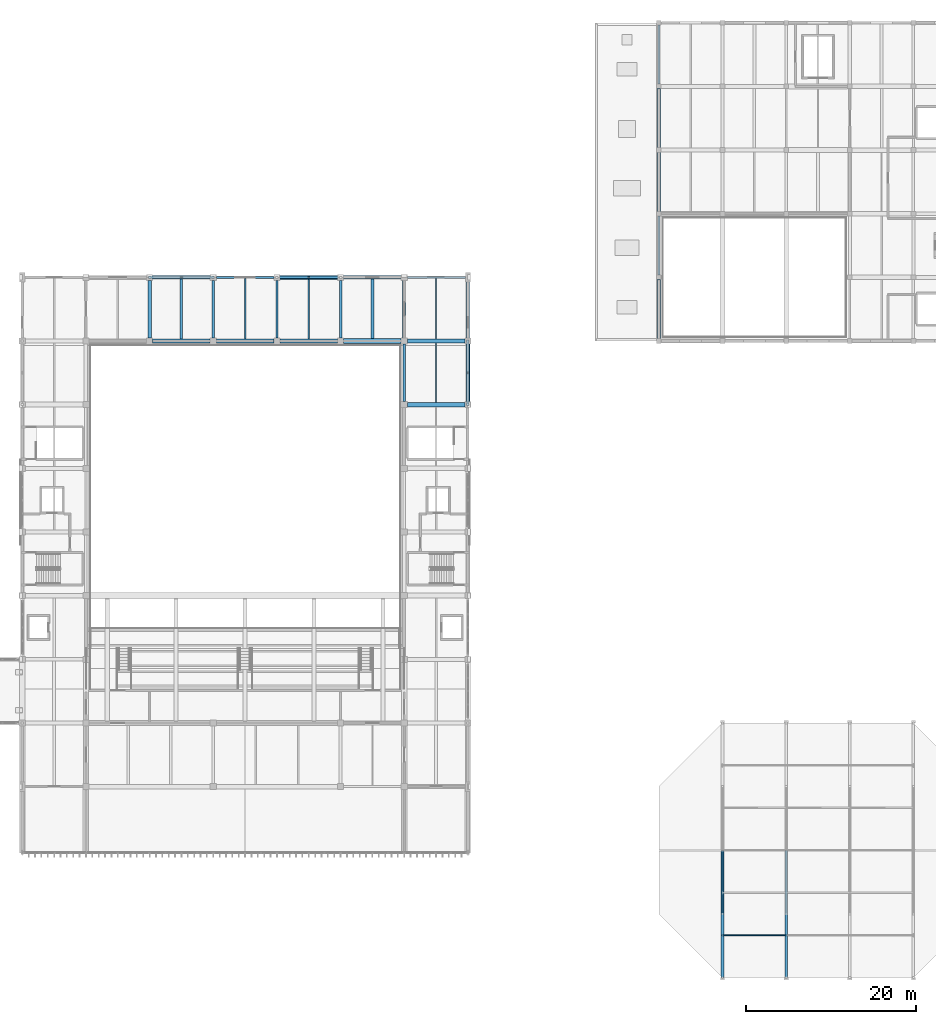
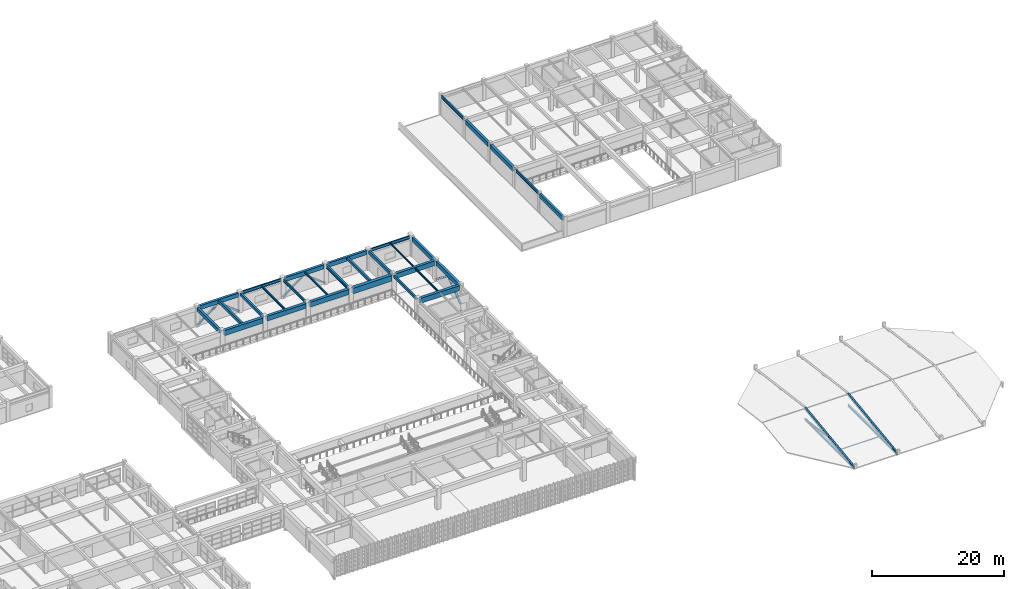
# One storey, part 55 of 101: 30 beams, 12 members.
"""IFC4 building model written with IfcOpenShell, lengths in metres."""

from ifc_helpers import new_model, si_unit, direction, frame, origin, origin_2d, place, context, subcontext, project, spatial, rectangle, hollow_rectangle, hollow_circle, i_section, extrude, material, material_profile, profile_set, type_object, element, save


model = new_model("IFC4")

# Units and contexts
model_context = context("Model", 3, precision=1e-05, world=origin(), true_north=direction((0.0, 1.0)))
body_context = subcontext(model_context, "Body", "Model", "MODEL_VIEW")
ifc_project = project(units=[si_unit("LENGTHUNIT", "METRE"), si_unit("AREAUNIT", "SQUARE_METRE"), si_unit("VOLUMEUNIT", "CUBIC_METRE"), si_unit("PLANEANGLEUNIT", "RADIAN"), si_unit("MASSUNIT", "GRAM", prefix="KILO")], contexts=[model_context])

# Site, building, storey
site_placement = place(None, origin())
site = spatial("IfcSite", under=ifc_project, at=site_placement, CompositionType="ELEMENT")
building_placement = place(site_placement, origin())
building = spatial("IfcBuilding", under=site, at=building_placement, Name="Qasida Concert Hall", CompositionType="ELEMENT")
storey_placement = place(building_placement, frame((0.0, 0.0, 13.199951171875)))
storey = spatial("IfcBuildingStorey", under=building, at=storey_placement, Name="L03", CompositionType="ELEMENT", Elevation=13.199951171875)

# Beams
ifc_material_1 = material(Name="Concrete C40/50", Category="concrete")
ifc_material_profile_1 = material_profile(ifc_material_1, rectangle(XDim=0.39990234375, YDim=0.64990234375, at=origin_2d()), Name="RC 400x650")
ifc_profile_set_1 = profile_set([ifc_material_profile_1], Name="Concrete C40/50")
beam_type_1 = type_object("IfcBeamType", Name="BM-B1", PredefinedType="BEAM", material=ifc_profile_set_1)
beam_1_placement = place(storey_placement, frame((67.5, 75.360107421875, 3.295166015625), z_axis=(0.0, 1.0, 0.0), x_axis=(-1.0, 0.0, 0.0)))
element("IfcBeam", 1, at=beam_1_placement, inside=storey, type_object=beam_type_1, Name="L03 girder 1556", PredefinedType="BEAM", context=body_context, shape_type="SweptSolid", body=[
    extrude(rectangle(XDim=0.39990234375, YDim=0.64990234375, at=origin_2d()), origin(), (0.0, 0.0, 1.0), 6.77978515625),
])
ifc_material_profile_2 = material_profile(ifc_material_1, rectangle(XDim=0.35009765625, YDim=0.60009765625, at=origin_2d()), Name="RC 350x600")
ifc_profile_set_2 = profile_set([ifc_material_profile_2], Name="Concrete C40/50")
beam_type_2 = type_object("IfcBeamType", Name="BM-B2", PredefinedType="BEAM", material=ifc_profile_set_2)
beam_2_placement = place(storey_placement, frame((97.5, 75.360107421875, 3.320068359375), z_axis=(0.0, 1.0, 0.0), x_axis=(-1.0, 0.0, 0.0)))
element("IfcBeam", 2, at=beam_2_placement, inside=storey, type_object=beam_type_2, Name="L03 girder 1567", PredefinedType="BEAM", context=body_context, shape_type="SweptSolid", body=[
    extrude(rectangle(XDim=0.35009765625, YDim=0.60009765625, at=origin_2d()), origin(), (0.0, 0.0, 1.0), 6.77978515625),
])
ifc_material_profile_3 = material_profile(ifc_material_1, rectangle(XDim=0.300048828125, YDim=0.449951171875, at=origin_2d()), Name="RC 300x450")
ifc_profile_set_3 = profile_set([ifc_material_profile_3], Name="Concrete C40/50")
beam_type_3 = type_object("IfcBeamType", Name="BM-B3", PredefinedType="BEAM", material=ifc_profile_set_3)
for number, where, z_axis, x_axis, name in (
    (3, (75.0, 75.360107421875, 3.39501953125), (0.0, 1.0, 0.0), (-1.0, 0.0, 0.0), "L03 girder 1558"),
    (4, (97.5, 67.860107421875, 3.39501953125), (0.0, 1.0, 0.0), (-1.0, 0.0, 0.0), "L03 girder 1566"),
):
    element("IfcBeam", number, at=place(storey_placement, frame(where, z_axis=z_axis, x_axis=x_axis)), inside=storey, type_object=beam_type_3, Name=name, PredefinedType="BEAM", context=body_context, shape_type="SweptSolid", body=[
        extrude(rectangle(XDim=0.300048828125, YDim=0.449951171875, at=origin_2d()), origin(), (0.0, 0.0, 1.0), 6.77978515625),
    ])
ifc_material_2 = material(Name="Steel S355J2", Category="steel")
ifc_material_profile_4 = material_profile(ifc_material_2, i_section(OverallWidth=0.199951171875, OverallDepth=0.5, WebThickness=0.01025390625, FlangeThickness=0.01611328125, FilletRadius=0.02099609375, at=origin_2d()), Name="IPE 500")
ifc_profile_set_4 = profile_set([ifc_material_profile_4], Name="Steel S355J2")
beam_type_4 = type_object("IfcBeamType", Name="BM-B4", PredefinedType="BEAM", material=ifc_profile_set_4)
beam_3_placement = place(storey_placement, frame((82.5, 75.360107421875, 3.3701171875), z_axis=(0.0, 1.0, 0.0), x_axis=(-1.0, 0.0, 0.0)))
element("IfcBeam", 5, at=beam_3_placement, inside=storey, type_object=beam_type_4, Name="L03 girder 1559", PredefinedType="BEAM", context=body_context, shape_type="SweptSolid", body=[
    extrude(i_section(OverallWidth=0.199951171875, OverallDepth=0.5, WebThickness=0.01025390625, FlangeThickness=0.01611328125, FilletRadius=0.02099609375, at=origin_2d()), origin(), (0.0, 0.0, 1.0), 6.77978515625),
])
ifc_material_profile_5 = material_profile(ifc_material_2, i_section(OverallWidth=0.300048828125, OverallDepth=0.60009765625, WebThickness=0.015380859375, FlangeThickness=0.030029296875, FilletRadius=0.027099609375, at=origin_2d()), Name="HEB 600")
ifc_profile_set_5 = profile_set([ifc_material_profile_5], Name="Steel S355J2")
beam_type_5 = type_object("IfcBeamType", Name="BM-B6", PredefinedType="BEAM", material=ifc_profile_set_5)
beam_4_placement = place(storey_placement, frame((90.0, 75.360107421875, 3.320068359375), z_axis=(0.0, 1.0, 0.0), x_axis=(-1.0, 0.0, 0.0)))
element("IfcBeam", 6, at=beam_4_placement, inside=storey, type_object=beam_type_5, Name="L03 girder 1561", PredefinedType="BEAM", context=body_context, shape_type="SweptSolid", body=[
    extrude(i_section(OverallWidth=0.300048828125, OverallDepth=0.60009765625, WebThickness=0.015380859375, FlangeThickness=0.030029296875, FilletRadius=0.027099609375, at=origin_2d()), origin(), (0.0, 0.0, 1.0), 6.77978515625),
])
ifc_material_profile_6 = material_profile(ifc_material_1, rectangle(XDim=0.5, YDim=0.89990234375, at=origin_2d()), Name="RC 500x900")
ifc_profile_set_6 = profile_set([ifc_material_profile_6], Name="Concrete C40/50")
beam_type_6 = type_object("IfcBeamType", Name="BM-G1", PredefinedType="USERDEFINED", material=ifc_profile_set_6)
for number, where, z_axis, x_axis, name in (
    (7, (97.860107421875, 67.5, 3.170166015625), (1.0, 0.0, 0.0), (0.0, 1.0, 0.0), "Primary girder 1529"),
    (8, (82.860107421875, 75.0, 3.170166015625), (1.0, 0.0, 0.0), (0.0, 1.0, 0.0), "Primary girder 1534"),
):
    element("IfcBeam", number, at=place(storey_placement, frame(where, z_axis=z_axis, x_axis=x_axis)), inside=storey, type_object=beam_type_6, Name=name, ObjectType="GIRDER", PredefinedType="USERDEFINED", context=body_context, shape_type="SweptSolid", body=[
        extrude(rectangle(XDim=0.5, YDim=0.89990234375, at=origin_2d()), origin(), (0.0, 0.0, 1.0), 6.77978515625),
    ])
ifc_material_profile_7 = material_profile(ifc_material_1, rectangle(XDim=0.47998046875, YDim=0.85009765625, at=origin_2d()), Name="RC 480x850")
ifc_profile_set_7 = profile_set([ifc_material_profile_7], Name="Concrete C40/50")
beam_type_7 = type_object("IfcBeamType", Name="BM-G6", PredefinedType="USERDEFINED", material=ifc_profile_set_7)
for number, where, z_axis, x_axis, name in (
    (9, (75.360107421875, 75.0, 3.195068359375), (1.0, 0.0, 0.0), (0.0, 1.0, 0.0), "Primary girder 1533"),
    (10, (97.860107421875, 75.0, 3.195068359375), (1.0, 0.0, 0.0), (0.0, 1.0, 0.0), "Primary girder 1536"),
):
    element("IfcBeam", number, at=place(storey_placement, frame(where, z_axis=z_axis, x_axis=x_axis)), inside=storey, type_object=beam_type_7, Name=name, ObjectType="GIRDER", PredefinedType="USERDEFINED", context=body_context, shape_type="SweptSolid", body=[
        extrude(rectangle(XDim=0.47998046875, YDim=0.85009765625, at=origin_2d()), origin(), (0.0, 0.0, 1.0), 6.77978515625),
    ])
ifc_material_profile_8 = material_profile(ifc_material_1, rectangle(XDim=0.52001953125, YDim=0.949951171875, at=origin_2d()), Name="RC 520x950")
ifc_profile_set_8 = profile_set([ifc_material_profile_8], Name="Concrete C40/50")
beam_type_8 = type_object("IfcBeamType", Name="BM-G7", PredefinedType="USERDEFINED", material=ifc_profile_set_8)
beam_5_placement = place(storey_placement, frame((67.860107421875, 75.0, 3.14501953125), z_axis=(1.0, 0.0, 0.0), x_axis=(0.0, 1.0, 0.0)))
element("IfcBeam", 11, at=beam_5_placement, inside=storey, type_object=beam_type_8, Name="Primary girder 1532", ObjectType="GIRDER", PredefinedType="USERDEFINED", context=body_context, shape_type="SweptSolid", body=[
    extrude(rectangle(XDim=0.52001953125, YDim=0.949951171875, at=origin_2d()), origin(), (0.0, 0.0, 1.0), 6.77978515625),
])
ifc_material_3 = material(Name="Concrete C50/60", Category="concrete")
ifc_material_profile_9 = material_profile(ifc_material_3, rectangle(XDim=0.580078125, YDim=1.050048828125, at=origin_2d()), Name="RC 580x1050")
ifc_profile_set_9 = profile_set([ifc_material_profile_9], Name="Concrete C50/60")
beam_type_9 = type_object("IfcBeamType", Name="BM-G8", PredefinedType="USERDEFINED", material=ifc_profile_set_9)
beam_6_placement = place(storey_placement, frame((90.360107421875, 75.0, 3.094970703125), z_axis=(1.0, 0.0, 0.0), x_axis=(0.0, 1.0, 0.0)))
element("IfcBeam", 12, at=beam_6_placement, inside=storey, type_object=beam_type_9, Name="Primary girder 1535", ObjectType="GIRDER", PredefinedType="USERDEFINED", context=body_context, shape_type="SweptSolid", body=[
    extrude(rectangle(XDim=0.580078125, YDim=1.050048828125, at=origin_2d()), origin(), (0.0, 0.0, 1.0), 6.77978515625),
])
ifc_material_profile_10 = material_profile(ifc_material_1, rectangle(XDim=0.300048828125, YDim=0.550048828125, at=origin_2d()), Name="RC 300x550")
ifc_profile_set_10 = profile_set([ifc_material_profile_10], Name="Concrete C40/50")
beam_type_10 = type_object("IfcBeamType", Name="BM-J1", PredefinedType="JOIST", material=ifc_profile_set_10)
beam_7_placement = place(storey_placement, frame((71.25, 75.260009765625, 3.344970703125), z_axis=(0.0, 1.0, 0.0), x_axis=(-1.0, 0.0, 0.0)))
element("IfcBeam", 13, at=beam_7_placement, inside=storey, type_object=beam_type_10, Name="L03 secondary joist 1584", PredefinedType="JOIST", context=body_context, shape_type="SweptSolid", body=[
    extrude(rectangle(XDim=0.300048828125, YDim=0.550048828125, at=origin_2d()), origin(), (0.0, 0.0, 1.0), 7.0400390625),
])
ifc_material_profile_11 = material_profile(ifc_material_2, i_section(OverallWidth=0.169921875, OverallDepth=0.360107421875, WebThickness=0.008056640625, FlangeThickness=0.0126953125, FilletRadius=0.01806640625, at=origin_2d()), Name="IPE 360")
ifc_profile_set_11 = profile_set([ifc_material_profile_11], Name="Steel S355J2")
beam_type_11 = type_object("IfcBeamType", Name="BM-J2", PredefinedType="JOIST", material=ifc_profile_set_11)
beam_8_placement = place(storey_placement, frame((78.75, 75.239990234375, 3.43994140625), z_axis=(0.0, 1.0, 0.0), x_axis=(-1.0, 0.0, 0.0)))
element("IfcBeam", 14, at=beam_8_placement, inside=storey, type_object=beam_type_11, Name="L03 secondary joist 1585", PredefinedType="JOIST", context=body_context, shape_type="SweptSolid", body=[
    extrude(i_section(OverallWidth=0.169921875, OverallDepth=0.360107421875, WebThickness=0.008056640625, FlangeThickness=0.0126953125, FilletRadius=0.01806640625, at=origin_2d()), origin(), (0.0, 0.0, 1.0), 7.155029296875),
])
ifc_material_profile_12 = material_profile(ifc_material_2, i_section(OverallWidth=0.159912109375, OverallDepth=0.330078125, WebThickness=0.007568359375, FlangeThickness=0.011474609375, FilletRadius=0.01806640625, at=origin_2d()), Name="IPE 330")
ifc_profile_set_12 = profile_set([ifc_material_profile_12], Name="Steel S355J2")
beam_type_12 = type_object("IfcBeamType", Name="BM-J5", PredefinedType="JOIST", material=ifc_profile_set_12)
beam_9_placement = place(storey_placement, frame((86.25, 75.25, 3.455078125), z_axis=(0.0, 1.0, 0.0), x_axis=(-1.0, 0.0, 0.0)))
element("IfcBeam", 15, at=beam_9_placement, inside=storey, type_object=beam_type_12, Name="L03 secondary joist 1588", PredefinedType="JOIST", context=body_context, shape_type="SweptSolid", body=[
    extrude(i_section(OverallWidth=0.159912109375, OverallDepth=0.330078125, WebThickness=0.007568359375, FlangeThickness=0.011474609375, FilletRadius=0.01806640625, at=origin_2d()), origin(), (0.0, 0.0, 1.0), 7.02490234375),
])
beam_10_placement = place(storey_placement, frame((101.25, 67.75, 3.455078125), z_axis=(0.0, 1.0, 0.0), x_axis=(-1.0, 0.0, 0.0)))
element("IfcBeam", 16, at=beam_10_placement, inside=storey, type_object=beam_type_12, Name="L03 secondary joist 1596", PredefinedType="JOIST", context=body_context, shape_type="SweptSolid", body=[
    extrude(i_section(OverallWidth=0.159912109375, OverallDepth=0.330078125, WebThickness=0.007568359375, FlangeThickness=0.011474609375, FilletRadius=0.01806640625, at=origin_2d()), origin(), (0.0, 0.0, 1.0), 7.010009765625),
])
ifc_material_profile_13 = material_profile(ifc_material_2, i_section(OverallWidth=0.135009765625, OverallDepth=0.27001953125, WebThickness=0.006591796875, FlangeThickness=0.01025390625, FilletRadius=0.014892578125, at=origin_2d()), Name="IPE 270")
ifc_profile_set_13 = profile_set([ifc_material_profile_13], Name="Steel S355J2")
beam_type_13 = type_object("IfcBeamType", Name="BM-J6", PredefinedType="JOIST", material=ifc_profile_set_13)
beam_11_placement = place(storey_placement, frame((101.25, 75.239990234375, 3.485107421875), z_axis=(0.0, 1.0, 0.0), x_axis=(-1.0, 0.0, 0.0)))
element("IfcBeam", 17, at=beam_11_placement, inside=storey, type_object=beam_type_13, Name="L03 secondary joist 1597", PredefinedType="JOIST", context=body_context, shape_type="SweptSolid", body=[
    extrude(i_section(OverallWidth=0.135009765625, OverallDepth=0.27001953125, WebThickness=0.006591796875, FlangeThickness=0.01025390625, FilletRadius=0.014892578125, at=origin_2d()), origin(), (0.0, 0.0, 1.0), 7.155029296875),
])
ifc_material_profile_14 = material_profile(ifc_material_1, rectangle(XDim=0.320068359375, YDim=0.5, at=origin_2d()), Name="RC 320x500")
ifc_profile_set_14 = profile_set([ifc_material_profile_14], Name="Concrete C40/50")
beam_type_14 = type_object("IfcBeamType", Name="BM-J7", PredefinedType="JOIST", material=ifc_profile_set_14)
beam_12_placement = place(storey_placement, frame((93.75, 75.2900390625, 3.3701171875), z_axis=(0.0, 1.0, 0.0), x_axis=(-1.0, 0.0, 0.0)))
element("IfcBeam", 18, at=beam_12_placement, inside=storey, type_object=beam_type_14, Name="L03 secondary joist 1590", PredefinedType="JOIST", context=body_context, shape_type="SweptSolid", body=[
    extrude(rectangle(XDim=0.320068359375, YDim=0.5, at=origin_2d()), origin(), (0.0, 0.0, 1.0), 7.010009765625),
])
ifc_material_profile_15 = material_profile(ifc_material_1, rectangle(XDim=0.39990234375, YDim=0.75, at=origin_2d()), Name="RC 400x750")
ifc_profile_set_15 = profile_set([ifc_material_profile_15], Name="Concrete C40/50")
beam_type_15 = type_object("IfcBeamType", Name="BM-SP1", PredefinedType="SPANDREL", material=ifc_profile_set_15)
for number, where, z_axis, x_axis, name in (
    (19, (67.860107421875, 82.5, 3.2451171875), (1.0, 0.0, 0.0), (0.0, 1.0, 0.0), "Primary girder 1539"),
    (20, (90.360107421875, 82.5, 3.2451171875), (1.0, 0.0, 0.0), (0.0, 1.0, 0.0), "Primary girder 1542"),
):
    element("IfcBeam", number, at=place(storey_placement, frame(where, z_axis=z_axis, x_axis=x_axis)), inside=storey, type_object=beam_type_15, Name=name, PredefinedType="SPANDREL", context=body_context, shape_type="SweptSolid", body=[
        extrude(rectangle(XDim=0.39990234375, YDim=0.75, at=origin_2d()), origin(), (0.0, 0.0, 1.0), 6.77978515625),
    ])
beam_13_placement = place(storey_placement, frame((105.0, 75.360107421875, 3.2451171875), z_axis=(0.0, 1.0, 0.0), x_axis=(-1.0, 0.0, 0.0)))
element("IfcBeam", 21, at=beam_13_placement, inside=storey, type_object=beam_type_15, Name="L03 girder 1573", PredefinedType="SPANDREL", context=body_context, shape_type="SweptSolid", body=[
    extrude(rectangle(XDim=0.39990234375, YDim=0.75, at=origin_2d()), origin(), (0.0, 0.0, 1.0), 6.58984375),
])
for number, where, z_axis, x_axis, name in (
    (22, (127.5, 75.27490234375, 3.2451171875), (0.0, 1.0, 0.0), (-1.0, 0.0, 0.0), "L03 girder 1686"),
    (23, (127.5, 97.77490234375, 3.2451171875), (0.0, 1.0, 0.0), (-1.0, 0.0, 0.0), "L03 girder 1689"),
):
    element("IfcBeam", number, at=place(storey_placement, frame(where, z_axis=z_axis, x_axis=x_axis)), inside=storey, type_object=beam_type_15, Name=name, PredefinedType="SPANDREL", context=body_context, shape_type="SweptSolid", body=[
        extrude(rectangle(XDim=0.39990234375, YDim=0.75, at=origin_2d()), origin(), (0.0, 0.0, 1.0), 6.9501953125),
    ])
ifc_material_profile_16 = material_profile(ifc_material_2, i_section(OverallWidth=0.2099609375, OverallDepth=0.550048828125, WebThickness=0.010986328125, FlangeThickness=0.01708984375, FilletRadius=0.02392578125, at=origin_2d()), Name="IPE 550")
ifc_profile_set_16 = profile_set([ifc_material_profile_16], Name="Steel S355J2")
beam_type_16 = type_object("IfcBeamType", Name="BM-SP2", PredefinedType="SPANDREL", material=ifc_profile_set_16)
beam_14_placement = place(storey_placement, frame((75.360107421875, 82.5, 3.344970703125), z_axis=(1.0, 0.0, 0.0), x_axis=(0.0, 1.0, 0.0)))
element("IfcBeam", 24, at=beam_14_placement, inside=storey, type_object=beam_type_16, Name="Primary girder 1540", PredefinedType="SPANDREL", context=body_context, shape_type="SweptSolid", body=[
    extrude(i_section(OverallWidth=0.2099609375, OverallDepth=0.550048828125, WebThickness=0.010986328125, FlangeThickness=0.01708984375, FilletRadius=0.02392578125, at=origin_2d()), origin(), (0.0, 0.0, 1.0), 6.77978515625),
])
beam_15_placement = place(storey_placement, frame((97.860107421875, 82.5, 3.344970703125), z_axis=(1.0, 0.0, 0.0), x_axis=(0.0, 1.0, 0.0)))
element("IfcBeam", 25, at=beam_15_placement, inside=storey, type_object=beam_type_16, Name="Primary girder 1543", PredefinedType="SPANDREL", context=body_context, shape_type="SweptSolid", body=[
    extrude(i_section(OverallWidth=0.2099609375, OverallDepth=0.550048828125, WebThickness=0.010986328125, FlangeThickness=0.01708984375, FilletRadius=0.02392578125, at=origin_2d()), origin(), (0.0, 0.0, 1.0), 6.83984375),
])
ifc_material_profile_17 = material_profile(ifc_material_2, i_section(OverallWidth=0.219970703125, OverallDepth=0.60009765625, WebThickness=0.011962890625, FlangeThickness=0.01904296875, FilletRadius=0.02392578125, at=origin_2d()), Name="IPE 600")
ifc_profile_set_17 = profile_set([ifc_material_profile_17], Name="Steel S355J2")
beam_type_17 = type_object("IfcBeamType", Name="BM-SP3", PredefinedType="SPANDREL", material=ifc_profile_set_17)
for number, where, z_axis, x_axis, name in (
    (26, (127.5, 82.77490234375, 3.320068359375), (0.0, 1.0, 0.0), (-1.0, 0.0, 0.0), "L03 girder 1687"),
    (27, (127.5, 105.27490234375, 3.320068359375), (0.0, 1.0, 0.0), (-1.0, 0.0, 0.0), "L03 girder 1690"),
):
    element("IfcBeam", number, at=place(storey_placement, frame(where, z_axis=z_axis, x_axis=x_axis)), inside=storey, type_object=beam_type_17, Name=name, PredefinedType="SPANDREL", context=body_context, shape_type="SweptSolid", body=[
        extrude(i_section(OverallWidth=0.219970703125, OverallDepth=0.60009765625, WebThickness=0.011962890625, FlangeThickness=0.01904296875, FilletRadius=0.02392578125, at=origin_2d()), origin(), (0.0, 0.0, 1.0), 6.9501953125),
    ])
ifc_material_profile_18 = material_profile(ifc_material_1, rectangle(XDim=0.449951171875, YDim=0.75, at=origin_2d()), Name="RC 450x750")
ifc_profile_set_18 = profile_set([ifc_material_profile_18], Name="Concrete C40/50")
beam_type_18 = type_object("IfcBeamType", Name="BM-SP4", PredefinedType="SPANDREL", material=ifc_profile_set_18)
for number, where, z_axis, x_axis, name in (
    (28, (82.860107421875, 82.5, 3.2451171875), (1.0, 0.0, 0.0), (0.0, 1.0, 0.0), "Primary girder 1541"),
    (29, (105.0, 67.860107421875, 3.2451171875), (0.0, 1.0, 0.0), (-1.0, 0.0, 0.0), "L03 girder 1572"),
):
    element("IfcBeam", number, at=place(storey_placement, frame(where, z_axis=z_axis, x_axis=x_axis)), inside=storey, type_object=beam_type_18, Name=name, PredefinedType="SPANDREL", context=body_context, shape_type="SweptSolid", body=[
        extrude(rectangle(XDim=0.449951171875, YDim=0.75, at=origin_2d()), origin(), (0.0, 0.0, 1.0), 6.77978515625),
    ])
beam_16_placement = place(storey_placement, frame((127.5, 90.27490234375, 3.2451171875), z_axis=(0.0, 1.0, 0.0), x_axis=(-1.0, 0.0, 0.0)))
element("IfcBeam", 30, at=beam_16_placement, inside=storey, type_object=beam_type_18, Name="L03 girder 1688", PredefinedType="SPANDREL", context=body_context, shape_type="SweptSolid", body=[
    extrude(rectangle(XDim=0.449951171875, YDim=0.75, at=origin_2d()), origin(), (0.0, 0.0, 1.0), 6.9501953125),
])

# Members
ifc_material_profile_19 = material_profile(ifc_material_2, i_section(OverallWidth=0.300048828125, OverallDepth=0.340087890625, WebThickness=0.011962890625, FlangeThickness=0.021484375, FilletRadius=0.027099609375, at=origin_2d()), Name="HEB 340")
ifc_profile_set_19 = profile_set([ifc_material_profile_19], Name="Steel S355J2")
member_type_1 = type_object("IfcMemberType", Name="MB-BR13", PredefinedType="BRACE", material=ifc_profile_set_19)
for number, where, z_axis, x_axis, name in (
    (31, (105.0, 67.5, 0.0), (0.0, 0.794105362147, 0.607780119623), (-1.0, 0.0, 0.0), "L03 chevron brace CBF-0019"),
    (32, (105.0, 75.0, 0.0), (0.0, -0.794105362147, 0.607780119623), (1.0, 0.0, 0.0), "L03 chevron brace CBF-0020"),
):
    element("IfcMember", number, at=place(storey_placement, frame(where, z_axis=z_axis, x_axis=x_axis)), inside=storey, type_object=member_type_1, Name=name, PredefinedType="BRACE", context=body_context, shape_type="SweptSolid", body=[
        extrude(i_section(OverallWidth=0.300048828125, OverallDepth=0.340087890625, WebThickness=0.011962890625, FlangeThickness=0.021484375, FilletRadius=0.027099609375, at=origin_2d()), origin(), (0.0, 0.0, 1.0), 4.722412109375),
    ])
ifc_material_profile_20 = material_profile(ifc_material_2, i_section(OverallWidth=0.300048828125, OverallDepth=0.330078125, WebThickness=0.009521484375, FlangeThickness=0.0166015625, FilletRadius=0.027099609375, at=origin_2d()), Name="HEA 340")
ifc_profile_set_20 = profile_set([ifc_material_profile_20], Name="Steel S355J2")
member_type_2 = type_object("IfcMemberType", Name="MB-BR2", PredefinedType="BRACE", material=ifc_profile_set_20)
for number, where, z_axis, x_axis, name in (
    (33, (67.5, 82.5, 0.0), (0.794105362147, 0.0, 0.607780119623), (0.0, 1.0, 0.0), "L03 chevron brace CBF-0031"),
    (34, (75.0, 82.5, 0.0), (-0.794105362147, 0.0, 0.607780119623), (0.0, -1.0, 0.0), "L03 chevron brace CBF-0032"),
):
    element("IfcMember", number, at=place(storey_placement, frame(where, z_axis=z_axis, x_axis=x_axis)), inside=storey, type_object=member_type_2, Name=name, PredefinedType="BRACE", context=body_context, shape_type="SweptSolid", body=[
        extrude(i_section(OverallWidth=0.300048828125, OverallDepth=0.330078125, WebThickness=0.009521484375, FlangeThickness=0.0166015625, FilletRadius=0.027099609375, at=origin_2d()), origin(), (0.0, 0.0, 1.0), 4.722412109375),
    ])
ifc_material_profile_21 = material_profile(ifc_material_2, i_section(OverallWidth=0.280029296875, OverallDepth=0.27001953125, WebThickness=0.008056640625, FlangeThickness=0.012939453125, FilletRadius=0.02392578125, at=origin_2d()), Name="HEA 280")
ifc_profile_set_21 = profile_set([ifc_material_profile_21], Name="Steel S355J2")
member_type_3 = type_object("IfcMemberType", Name="MB-BR3", PredefinedType="BRACE", material=ifc_profile_set_21)
for number, where, z_axis, x_axis, name in (
    (35, (82.5, 82.5, 0.0), (0.794105362147, 0.0, 0.607780119623), (0.0, 1.0, 0.0), "L03 chevron brace CBF-0043"),
    (36, (90.0, 82.5, 0.0), (-0.794105362147, 0.0, 0.607780119623), (0.0, -1.0, 0.0), "L03 chevron brace CBF-0044"),
):
    element("IfcMember", number, at=place(storey_placement, frame(where, z_axis=z_axis, x_axis=x_axis)), inside=storey, type_object=member_type_3, Name=name, PredefinedType="BRACE", context=body_context, shape_type="SweptSolid", body=[
        extrude(i_section(OverallWidth=0.280029296875, OverallDepth=0.27001953125, WebThickness=0.008056640625, FlangeThickness=0.012939453125, FilletRadius=0.02392578125, at=origin_2d()), origin(), (0.0, 0.0, 1.0), 4.722412109375),
    ])
ifc_material_profile_22 = material_profile(ifc_material_2, hollow_circle(Radius=0.136474609375, WallThickness=0.012451171875, at=origin_2d()), Name="CHS 273x12.5")
ifc_profile_set_22 = profile_set([ifc_material_profile_22], Name="Steel S355J2")
member_type_4 = type_object("IfcMemberType", Name="MB-BR5", PredefinedType="BRACE", material=ifc_profile_set_22)
member_1_placement = place(storey_placement, frame((135.0, 15.0, 0.0), z_axis=(0.0, -0.991227900683, 0.132163720091), x_axis=(1.0, 0.0, 0.0)))
element("IfcMember", 37, at=member_1_placement, inside=storey, type_object=member_type_4, Name="Roof truss web V2T-006", PredefinedType="BRACE", context=body_context, shape_type="SweptSolid", body=[
    extrude(hollow_circle(Radius=0.136474609375, WallThickness=0.012451171875, at=origin_2d()), origin(), (0.0, 0.0, 1.0), 7.56640625),
])
ifc_material_profile_23 = material_profile(ifc_material_2, i_section(OverallWidth=0.300048828125, OverallDepth=0.389892578125, WebThickness=0.010986328125, FlangeThickness=0.01904296875, FilletRadius=0.027099609375, at=origin_2d()), Name="HEA 400")
ifc_profile_set_23 = profile_set([ifc_material_profile_23], Name="Steel S355J2")
member_type_5 = type_object("IfcMemberType", Name="MB-CH2", PredefinedType="CHORD", material=ifc_profile_set_23)
for number, where, z_axis, x_axis, name in (
    (38, (135.0, 0.0, 0.0), (0.0, 1.0, 0.0), (-1.0, 0.0, 0.0), "Roof truss bottom chord V2T-001"),
    (39, (142.5, 0.0, 0.0), (0.0, 1.0, 0.0), (-1.0, 0.0, 0.0), "Roof truss bottom chord V2T-008"),
):
    element("IfcMember", number, at=place(storey_placement, frame(where, z_axis=z_axis, x_axis=x_axis)), inside=storey, type_object=member_type_5, Name=name, PredefinedType="CHORD", context=body_context, shape_type="SweptSolid", body=[
        extrude(i_section(OverallWidth=0.300048828125, OverallDepth=0.389892578125, WebThickness=0.010986328125, FlangeThickness=0.01904296875, FilletRadius=0.027099609375, at=origin_2d()), origin(), (0.0, 0.0, 1.0), 15.0),
    ])
ifc_material_profile_24 = material_profile(ifc_material_2, i_section(OverallWidth=0.300048828125, OverallDepth=0.43994140625, WebThickness=0.011474609375, FlangeThickness=0.02099609375, FilletRadius=0.027099609375, at=origin_2d()), Name="HEA 450")
ifc_profile_set_24 = profile_set([ifc_material_profile_24], Name="Steel S355J2")
member_type_6 = type_object("IfcMemberType", Name="MB-CH6", PredefinedType="CHORD", material=ifc_profile_set_24)
for number, where, z_axis, x_axis, name in (
    (40, (135.0, 0.0, 0.0), (0.0, 0.991227900683, 0.132163720091), (-1.0, 0.0, 0.0), "Roof truss top chord V2T-003"),
    (41, (142.5, 0.0, 0.0), (0.0, 0.991227900683, 0.132163720091), (-1.0, 0.0, 0.0), "Roof truss top chord V2T-010"),
):
    element("IfcMember", number, at=place(storey_placement, frame(where, z_axis=z_axis, x_axis=x_axis)), inside=storey, type_object=member_type_6, Name=name, PredefinedType="CHORD", context=body_context, shape_type="SweptSolid", body=[
        extrude(i_section(OverallWidth=0.300048828125, OverallDepth=0.43994140625, WebThickness=0.011474609375, FlangeThickness=0.02099609375, FilletRadius=0.027099609375, at=origin_2d()), origin(), (0.0, 0.0, 1.0), 15.1328125),
    ])
ifc_material_profile_25 = material_profile(ifc_material_2, hollow_rectangle(XDim=0.10009765625, YDim=0.199951171875, WallThickness=0.008056640625, InnerFilletRadius=0.008056640625, OuterFilletRadius=0.01611328125, at=origin_2d()), Name="RHS 200x100x8")
ifc_profile_set_25 = profile_set([ifc_material_profile_25], Name="Steel S355J2")
member_type_7 = type_object("IfcMemberType", Name="MB-PR1", PredefinedType="PURLIN", material=ifc_profile_set_25)
member_2_placement = place(storey_placement, frame((135.0, 5.0, 0.32666015625), z_axis=(1.0, 0.0, 0.0), x_axis=(0.0, 1.0, 0.0)))
element("IfcMember", 42, at=member_2_placement, inside=storey, type_object=member_type_7, Name="Chamber roof purlin V2P-029", PredefinedType="PURLIN", context=body_context, shape_type="SweptSolid", body=[
    extrude(hollow_rectangle(XDim=0.10009765625, YDim=0.199951171875, WallThickness=0.008056640625, InnerFilletRadius=0.008056640625, OuterFilletRadius=0.01611328125, at=origin_2d()), origin(), (0.0, 0.0, 1.0), 7.5),
])

save(model, "model.ifc")
